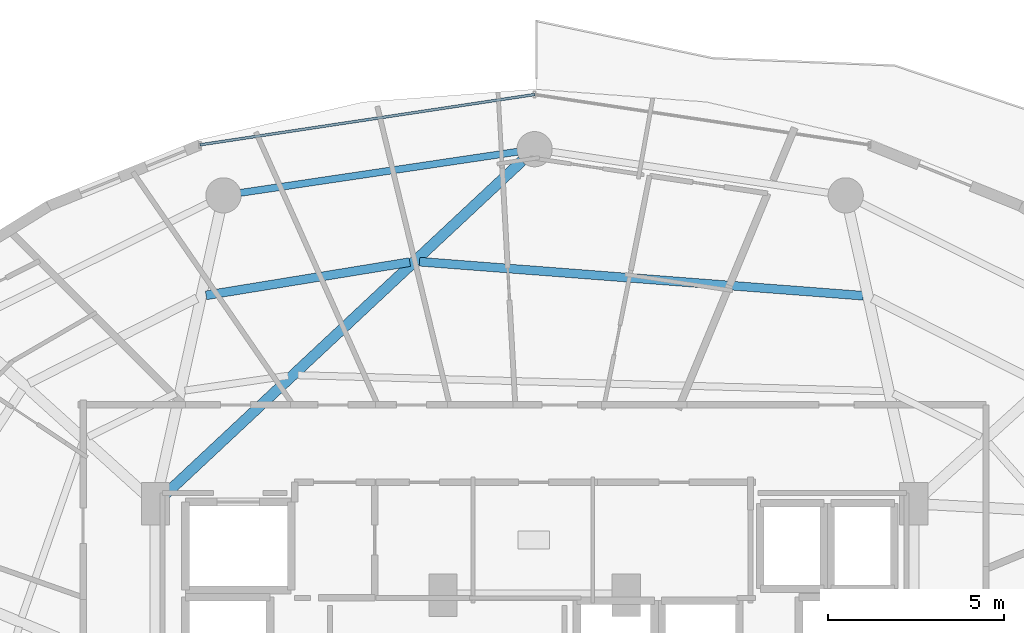
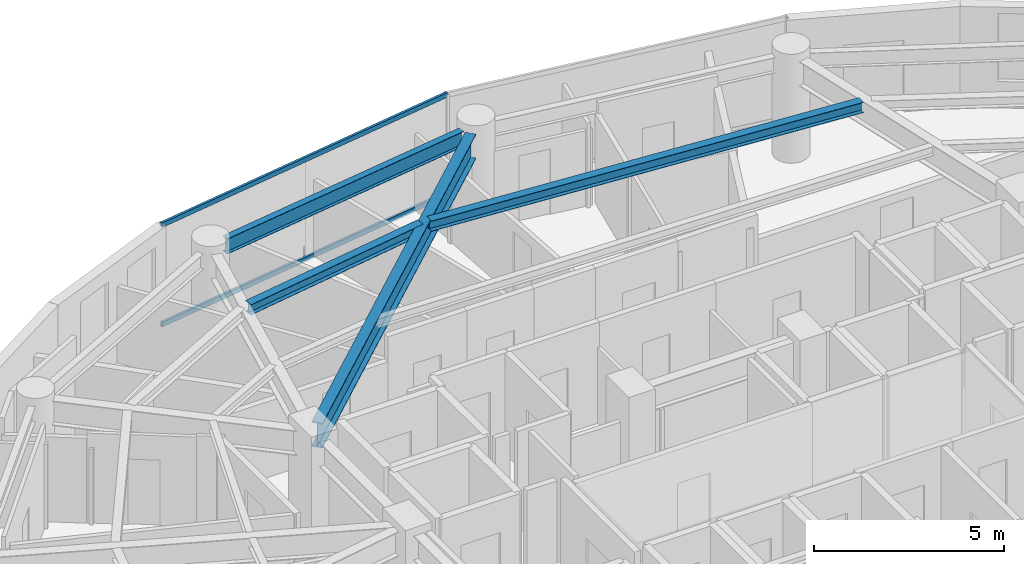
# One storey, part 16 of 28: 4 beams, 2 members, 1 element without a shape of its own.
"""IFC4 building model written with IfcOpenShell, lengths in metres."""

from ifc_helpers import new_model, si_unit, direction, frame, origin, origin_2d, place, context, subcontext, project, spatial, hollow_rectangle, i_section, extrude, material, material_profile, profile_set, type_object, element, aggregate, save


model = new_model("IFC4")

# Units and contexts
model_context = context("Model", 3, precision=1e-05, world=origin(), true_north=direction((0.0, 1.0)))
body_context = subcontext(model_context, "Body", "Model", "MODEL_VIEW")
ifc_project = project(units=[si_unit("LENGTHUNIT", "METRE"), si_unit("AREAUNIT", "SQUARE_METRE"), si_unit("VOLUMEUNIT", "CUBIC_METRE"), si_unit("PLANEANGLEUNIT", "RADIAN"), si_unit("MASSUNIT", "GRAM", prefix="KILO")], contexts=[model_context])

# Site, building, storey
site_placement = place(None, origin())
site = spatial("IfcSite", under=ifc_project, at=site_placement, CompositionType="ELEMENT")
building_placement = place(site_placement, origin())
building = spatial("IfcBuilding", under=site, at=building_placement, Name="Vorneva Point Tower", CompositionType="ELEMENT")
storey_placement = place(building_placement, frame((0.0, 0.0, 164.10009765625)))
storey = spatial("IfcBuildingStorey", under=building, at=storey_placement, Name="L44", CompositionType="ELEMENT", Elevation=164.10009765625)

# Beams
ifc_material_1 = material(Name="Steel S355", Category="steel")
ifc_material_profile_1 = material_profile(ifc_material_1, i_section(OverallWidth=0.300048828125, OverallDepth=0.7880859375, WebThickness=0.014404296875, FlangeThickness=0.02197265625, at=origin_2d()), Name="80Sh1")
ifc_profile_set_1 = profile_set([ifc_material_profile_1], Name="Steel S355")
beam_type_1 = type_object("IfcBeamType", Name="BM-GRD-80Sh1", PredefinedType="USERDEFINED", material=ifc_profile_set_1)
beam_1_placement = place(storey_placement, frame((37.6435546875, 42.86669921875, 2.845947265625), z_axis=(-0.730490907119, -0.682922422107, 0.0), x_axis=(0.682922422107, -0.730490907119, 0.0)))
element("IfcBeam", 1, at=beam_1_placement, inside=storey, type_object=beam_type_1, Name="L44 Radial Primary Girder 05", ObjectType="GIRDER", PredefinedType="USERDEFINED", context=body_context, shape_type="SweptSolid", body=[
    extrude(i_section(OverallWidth=0.300048828125, OverallDepth=0.7880859375, WebThickness=0.014404296875, FlangeThickness=0.02197265625, at=origin_2d()), origin(), (0.0, 0.0, 1.0), 13.88818359375),
])
ifc_material_profile_2 = material_profile(ifc_material_1, i_section(OverallWidth=0.2490234375, OverallDepth=0.333984375, WebThickness=0.008056640625, FlangeThickness=0.010986328125, at=origin_2d()), Name="35Sh1")
ifc_profile_set_2 = profile_set([ifc_material_profile_2], Name="Steel S355")
beam_type_2 = type_object("IfcBeamType", Name="BM-SEC-35Sh1", PredefinedType="BEAM", material=ifc_profile_set_2)
beam_2_placement = place(storey_placement, frame((47.313720703125, 39.045166015625, 3.072998046875), z_axis=(-0.997065519462, 0.076552922221, 0.0), x_axis=(-0.076552922221, -0.997065519462, 0.0)))
element("IfcBeam", 2, at=beam_2_placement, inside=storey, type_object=beam_type_2, Name="L44 Secondary Floor Beam 1.04", PredefinedType="BEAM", context=body_context, shape_type="SweptSolid", body=[
    extrude(i_section(OverallWidth=0.2490234375, OverallDepth=0.333984375, WebThickness=0.008056640625, FlangeThickness=0.010986328125, at=origin_2d()), origin(), (0.0, 0.0, 1.0), 12.61328125),
])
beam_3_placement = place(storey_placement, frame((34.4638671875, 39.9990234375, 3.072998046875), z_axis=(-0.986970337588, -0.160902308004, 0.0), x_axis=(0.160902308004, -0.986970337588, 0.0)))
element("IfcBeam", 3, at=beam_3_placement, inside=storey, type_object=beam_type_2, Name="L44 Secondary Floor Beam 1.05", PredefinedType="BEAM", context=body_context, shape_type="SweptSolid", body=[
    extrude(i_section(OverallWidth=0.2490234375, OverallDepth=0.333984375, WebThickness=0.008056640625, FlangeThickness=0.010986328125, at=origin_2d()), origin(), (0.0, 0.0, 1.0), 5.855224609375),
])
ifc_material_profile_3 = material_profile(ifc_material_1, i_section(OverallWidth=0.199951171875, OverallDepth=0.491943359375, WebThickness=0.0087890625, FlangeThickness=0.011962890625, at=origin_2d()), Name="50B1")
ifc_profile_set_3 = profile_set([ifc_material_profile_3], Name="Steel S355")
beam_type_3 = type_object("IfcBeamType", Name="BM-SPN-50B1", PredefinedType="SPANDREL", material=ifc_profile_set_3)
beam_4_placement = place(storey_placement, frame((37.520263671875, 43.12890625, 2.993896484375), z_axis=(-0.989161199046, -0.146833655211, 0.0), x_axis=(0.146833655211, -0.989161199046, 0.0)))
element("IfcBeam", 4, at=beam_4_placement, inside=storey, type_object=beam_type_3, Name="L44 Perimeter Spandrel Ring Beam 05", PredefinedType="SPANDREL", context=body_context, shape_type="SweptSolid", body=[
    extrude(i_section(OverallWidth=0.199951171875, OverallDepth=0.491943359375, WebThickness=0.0087890625, FlangeThickness=0.011962890625, at=origin_2d()), origin(), (0.0, 0.0, 1.0), 7.94775390625),
])

# Curtain wall, members
ifc_material_2 = material(Name="Pale anodised aluminium", Category="aluminium")
curtain_wall_type = type_object("IfcCurtainWallType", Name="CW-RES-SYS", PredefinedType="NOTDEFINED", material=ifc_material_2)
curtain_wall_placement = place(storey_placement, origin())
curtain_wall = element("IfcCurtainWall", 5, at=curtain_wall_placement, inside=storey, type_object=curtain_wall_type, Name="L44 Unitised Curtain Wall CW-L44-R02", PredefinedType="NOTDEFINED")
ifc_material_profile_4 = material_profile(ifc_material_2, hollow_rectangle(XDim=0.074951171875, YDim=0.14990234375, WallThickness=0.00390625, at=origin_2d()), Name="AL-TRN 150x75x4")
ifc_profile_set_4 = profile_set([ifc_material_profile_4], Name="Pale anodised aluminium")
member_type = type_object("IfcMemberType", Name="CW-TRN-150", PredefinedType="USERDEFINED", material=ifc_profile_set_4)
member_1_placement = place(storey_placement, frame((38.0, 44.75, 0.02001953125), z_axis=(-0.988880117727, -0.148714870687, 0.0), x_axis=(0.148714870687, -0.988880117727, 0.0)))
member_1 = element("IfcMember", 6, at=member_1_placement, type_object=member_type, Name="CW-L44-R02 Transom 02.1", ObjectType="TRANSOM", PredefinedType="USERDEFINED", context=body_context, shape_type="SweptSolid", body=[
    extrude(hollow_rectangle(XDim=0.074951171875, YDim=0.14990234375, WallThickness=0.00390625, at=origin_2d()), origin(), (0.0, 0.0, 1.0), 9.59716796875),
])
member_2_placement = place(storey_placement, frame((38.0, 44.75, 3.219970703125), z_axis=(-0.988880117727, -0.148714870687, 0.0), x_axis=(0.148714870687, -0.988880117727, 0.0)))
member_2 = element("IfcMember", 7, at=member_2_placement, type_object=member_type, Name="CW-L44-R02 Transom 02.2", ObjectType="TRANSOM", PredefinedType="USERDEFINED", context=body_context, shape_type="SweptSolid", body=[
    extrude(hollow_rectangle(XDim=0.074951171875, YDim=0.14990234375, WallThickness=0.00390625, at=origin_2d()), origin(), (0.0, 0.0, 1.0), 9.59716796875),
])
aggregate(curtain_wall, [member_1, member_2])

save(model, "model.ifc")
